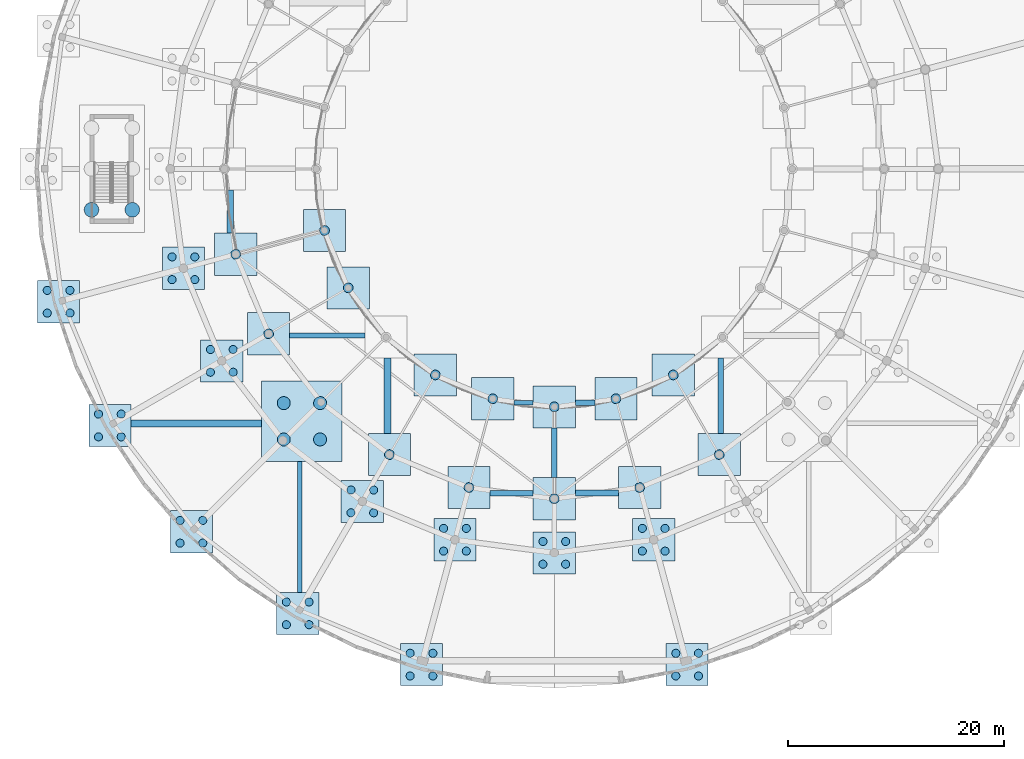
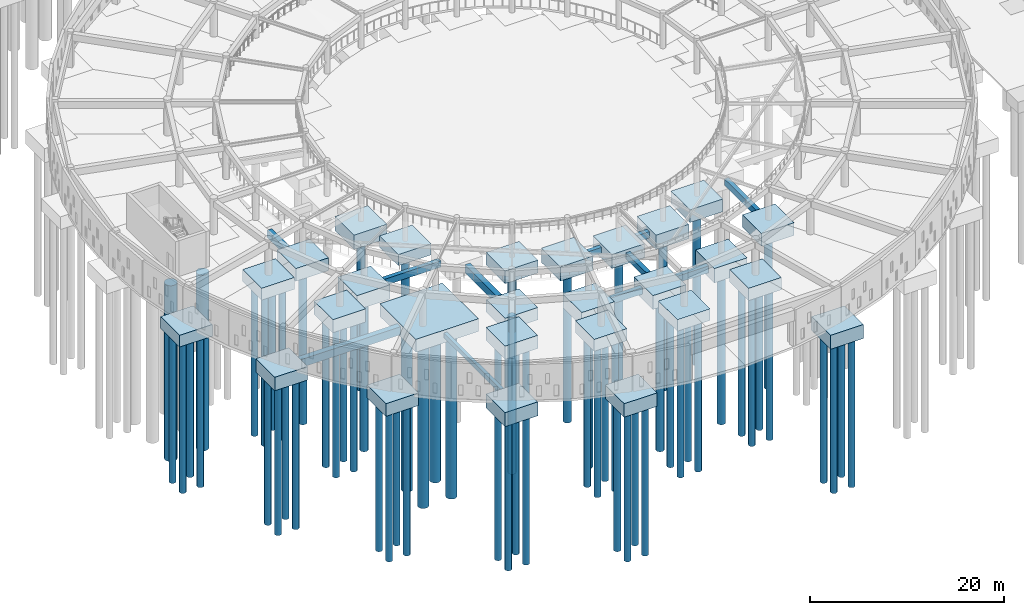
# One storey, part 1 of 84: 68 piles, 38 footings.
"""IFC4 building model written with IfcOpenShell, lengths in metres."""

import ifcopenshell
import ifcopenshell.guid

model = None  # the IFC model being written
_history = None  # IfcOwnerHistory: only IFC2X3 demands one
_inside = {}  # id of a spatial element -> (the spatial element, [elements in it])
_under = {}  # id of a project, library or spatial element -> (it, [spatial elements below it])
_declared = {}  # id of a project -> (the project, [libraries it declares])
_typed = {}  # id of a type object -> (the type object, [elements of that type])
_made_of = {}  # id of a material, layer set ... -> (it, [elements and type objects made of it])


def new_model(schema):
    """Start an empty IFC model of exactly this schema.

    Asked for "IFC4X3", IfcOpenShell would pick the latest addendum, in which some entities
    have other attributes; the version numbers below select the first issue.
    IFC2X3 requires an IfcOwnerHistory on every rooted entity: one is made here for all.
    """
    global model, _history
    if schema == "IFC4X3":
        model = ifcopenshell.file(schema_version=(4, 3, 0, 0))
    else:
        model = ifcopenshell.file(schema=schema)
    _inside.clear()
    _under.clear()
    _declared.clear()
    _typed.clear()
    _made_of.clear()
    _history = None
    if model.schema == "IFC2X3":
        org = make("IfcOrganization", Name="unknown")
        user = make(
            "IfcPersonAndOrganization",
            ThePerson=make("IfcPerson", FamilyName="unknown"),
            TheOrganization=org,
        )
        app = make(
            "IfcApplication",
            ApplicationDeveloper=org,
            Version="unknown",
            ApplicationFullName="unknown",
            ApplicationIdentifier="unknown",
        )
        _history = make(
            "IfcOwnerHistory",
            OwningUser=user,
            OwningApplication=app,
            ChangeAction="ADDED",
            CreationDate=0,
        )
    return model


def make(cls, **values):
    """One entity of the class cls with the attributes given. An attribute that is None is left unset."""
    return model.create_entity(
        cls, **{name: value for name, value in values.items() if value is not None}
    )


def rooted(cls, **values):
    """An entity with a GlobalId (a new one), such as an element, a storey or a relation."""
    return make(cls, GlobalId=ifcopenshell.guid.new(), OwnerHistory=_history, **values)


def si_unit(unit_type, name, prefix=None):
    """IfcSIUnit, for example si_unit("LENGTHUNIT", "METRE", prefix="MILLI")."""
    return make("IfcSIUnit", UnitType=unit_type, Prefix=prefix, Name=name)


def assignment(units):
    """IfcUnitAssignment: the units of a project."""
    return None if units is None else make("IfcUnitAssignment", Units=units)


def point(xyz):
    """IfcCartesianPoint."""
    return None if xyz is None else make("IfcCartesianPoint", Coordinates=xyz)


def direction(xyz):
    """IfcDirection."""
    return None if xyz is None else make("IfcDirection", DirectionRatios=xyz)


def frame(location, z_axis=None, x_axis=None):
    """IfcAxis2Placement3D, a coordinate frame: its origin and axes. An axis left out is left unset."""
    return make(
        "IfcAxis2Placement3D",
        Location=point(location),
        Axis=direction(z_axis),
        RefDirection=direction(x_axis),
    )


def frame_2d(location, x_axis=None):
    """IfcAxis2Placement2D, a coordinate frame in the plane: its origin and x axis."""
    return make(
        "IfcAxis2Placement2D", Location=point(location), RefDirection=direction(x_axis)
    )


def origin():
    """The frame at (0, 0, 0) with its axes left unset."""
    return frame((0.0, 0.0, 0.0))


def origin_2d():
    """The frame at (0, 0) in the plane with its x axis left unset."""
    return frame_2d((0.0, 0.0))


def place(relative_to, where):
    """IfcLocalPlacement: puts the frame where relative to a parent placement (None: the world)."""
    return make(
        "IfcLocalPlacement", PlacementRelTo=relative_to, RelativePlacement=where
    )


def context(
    kind, dimensions, precision=None, world=None, true_north=None, identifier=None
):
    """IfcGeometricRepresentationContext, for example the 3D "Model" context."""
    return make(
        "IfcGeometricRepresentationContext",
        ContextIdentifier=identifier,
        ContextType=kind,
        CoordinateSpaceDimension=dimensions,
        Precision=precision,
        WorldCoordinateSystem=world,
        TrueNorth=true_north,
    )


def subcontext(parent, identifier, kind, view, scale=None):
    """IfcGeometricRepresentationSubContext, for example "Body" below "Model"."""
    return make(
        "IfcGeometricRepresentationSubContext",
        ContextIdentifier=identifier,
        ContextType=kind,
        ParentContext=parent,
        TargetScale=scale,
        TargetView=view,
    )


def project(units=None, contexts=None):
    """IfcProject with its units and contexts."""
    return rooted(
        "IfcProject",
        Name="project",
        RepresentationContexts=contexts,
        UnitsInContext=assignment(units),
    )


def spatial(cls, under=None, at=None, **own):
    """A site, building, storey or space (cls), placed at a placement, below another one or the project."""
    s = rooted(cls, ObjectPlacement=at, **own)
    if under is not None:
        _under.setdefault(under.id(), (under, []))[1].append(s)
    return s


def profile(cls, at=None, kind="AREA", **sizes):
    """A parametric profile (cls). Its sizes go by their IFC names, for example OverallWidth=200.0."""
    return make(cls, ProfileType=kind, Position=at, **sizes)


def rectangle(**sizes):
    """IfcRectangleProfileDef."""
    return profile("IfcRectangleProfileDef", **sizes)


def circle(**sizes):
    """IfcCircleProfileDef."""
    return profile("IfcCircleProfileDef", **sizes)


def extrude(swept, where, along, depth):
    """IfcExtrudedAreaSolid: the profile swept, set in the frame where, extruded along a direction by depth."""
    return make(
        "IfcExtrudedAreaSolid",
        SweptArea=swept,
        Position=where,
        ExtrudedDirection=direction(along),
        Depth=depth,
    )


def shape(context_of_items, identifier, shape_type, items):
    """IfcShapeRepresentation: the items that make up one representation, for example the "Body"."""
    return make(
        "IfcShapeRepresentation",
        ContextOfItems=context_of_items,
        RepresentationIdentifier=identifier,
        RepresentationType=shape_type,
        Items=items,
    )


def material(Name=None, Category=None):
    """IfcMaterial."""
    return make("IfcMaterial", Name=Name, Category=Category)


def material_profile(
    of_material, cross_section, Name=None, Category=None, Priority=None
):
    """IfcMaterialProfile: a cross section and its material."""
    return make(
        "IfcMaterialProfile",
        Name=Name,
        Material=of_material,
        Profile=cross_section,
        Priority=Priority,
        Category=Category,
    )


def profile_set(profiles, Name=None, composite=None):
    """IfcMaterialProfileSet."""
    return make(
        "IfcMaterialProfileSet",
        Name=Name,
        MaterialProfiles=profiles,
        CompositeProfile=composite,
    )


def made_of(thing, what):
    """Note that an element or type object is made of a material, layer set ...; save() writes the relation."""
    if what is not None:
        _made_of.setdefault(what.id(), (what, []))[1].append(thing)
    return thing


def type_object(cls, material=None, **own):
    """A type object (cls), such as IfcWallType, which elements share."""
    return made_of(rooted(cls, **own), material)


def element(
    cls,
    number,
    at=None,
    inside=None,
    cuts=None,
    type_object=None,
    material=None,
    context=None,
    identifier="Body",
    shape_type=None,
    held_by="IfcProductDefinitionShape",
    body=None,
    shapes=None,
    **own,
):
    """One element of the class cls, such as IfcWall. Its Tag is "e" and its number.

    at: its placement. inside: the storey or other place that contains it. cuts: it is an
    opening in that element (IfcRelVoidsElement). A single representation is given by context,
    identifier, shape_type and body (its items); several are given by shapes. held_by: the class
    of the entity that holds the representations. save() writes the other relations.
    """
    e = rooted(cls, Tag="e%d" % number, ObjectPlacement=at, **own)
    if body is not None:
        shapes = [shape(context, identifier, shape_type, body)]
    if shapes is not None:
        e.Representation = make(held_by, Representations=shapes)
    if inside is not None:
        _inside.setdefault(inside.id(), (inside, []))[1].append(e)
    if cuts is not None:
        rooted(
            "IfcRelVoidsElement", RelatingBuildingElement=cuts, RelatedOpeningElement=e
        )
    if type_object is not None:
        _typed.setdefault(type_object.id(), (type_object, []))[1].append(e)
    return made_of(e, material)


def aggregate(whole, parts):
    """IfcRelAggregates: a whole, such as a stair, and the parts it consists of."""
    return rooted("IfcRelAggregates", RelatingObject=whole, RelatedObjects=parts)


def save(model, path):
    """Write the relations noted so far, then the file.

    IfcRelAggregates (storeys below a building ...), IfcRelContainedInSpatialStructure (elements
    in a storey), IfcRelDefinesByType, IfcRelAssociatesMaterial and IfcRelDeclares: one each for
    every whole, place, type object, material and project.
    """
    for whole, parts in _under.values():
        aggregate(whole, parts)
    for where, things in _inside.values():
        rooted(
            "IfcRelContainedInSpatialStructure",
            RelatedElements=things,
            RelatingStructure=where,
        )
    for kind, things in _typed.values():
        rooted("IfcRelDefinesByType", RelatedObjects=things, RelatingType=kind)
    for what, things in _made_of.values():
        rooted("IfcRelAssociatesMaterial", RelatedObjects=things, RelatingMaterial=what)
    for by, libraries in _declared.values():
        rooted("IfcRelDeclares", RelatingContext=by, RelatedDefinitions=libraries)
    model.write(path)


model = new_model("IFC4")

# Units and contexts
model_context = context("Model", 3, precision=1e-05, world=origin(), true_north=direction((0.0, 1.0)))
body_context = subcontext(model_context, "Body", "Model", "MODEL_VIEW")
ifc_project = project(units=[si_unit("LENGTHUNIT", "METRE"), si_unit("AREAUNIT", "SQUARE_METRE"), si_unit("VOLUMEUNIT", "CUBIC_METRE"), si_unit("PLANEANGLEUNIT", "RADIAN"), si_unit("MASSUNIT", "GRAM", prefix="KILO")], contexts=[model_context])

# Site, building, storey
site_placement = place(None, origin())
site = spatial("IfcSite", under=ifc_project, at=site_placement, CompositionType="ELEMENT")
building_placement = place(site_placement, origin())
building = spatial("IfcBuilding", under=site, at=building_placement, Name="Larkveld Mobility Hub", CompositionType="ELEMENT")
storey_placement = place(building_placement, origin())
storey = spatial("IfcBuildingStorey", under=building, at=storey_placement, Name="L00", CompositionType="ELEMENT", Elevation=0.0)

# Footings
ifc_material = material(Name="Concrete C35/45", Category="concrete")
ifc_material_profile_1 = material_profile(ifc_material, rectangle(XDim=0.39990234375, YDim=0.60009765625, at=origin_2d()), Name="RC BM 400x600")
ifc_profile_set_1 = profile_set([ifc_material_profile_1], Name="Concrete C35/45")
footing_type_1 = type_object("IfcFootingType", Name="FT-FB01", PredefinedType="FOOTING_BEAM", material=ifc_profile_set_1)
footing_1_placement = place(storey_placement, frame((24.470947265625, 8.85693359375, -0.64990234375), z_axis=(0.0, 1.0, 0.0), x_axis=(-1.0, 0.0, 0.0)))
element("IfcFooting", 1, at=footing_1_placement, inside=storey, type_object=footing_type_1, Name="Ground Tie Beam GB-109", PredefinedType="FOOTING_BEAM", context=body_context, shape_type="SweptSolid", body=[
    extrude(rectangle(XDim=0.39990234375, YDim=0.60009765625, at=origin_2d()), origin(), (0.0, 0.0, 1.0), 12.091064453125),
])
ifc_material_profile_2 = material_profile(ifc_material, rectangle(XDim=0.449951171875, YDim=0.699951171875, at=origin_2d()), Name="RC BM 450x700")
ifc_profile_set_2 = profile_set([ifc_material_profile_2], Name="Concrete C35/45")
footing_type_2 = type_object("IfcFootingType", Name="FT-FB02", PredefinedType="FOOTING_BEAM", material=ifc_profile_set_2)
footing_2_placement = place(storey_placement, frame((44.256103515625, 26.375, -0.699951171875), z_axis=(1.0, 0.0, 0.0), x_axis=(0.0, 1.0, 0.0)))
element("IfcFooting", 2, at=footing_2_placement, inside=storey, type_object=footing_type_2, Name="Ground Tie Beam GB-020", PredefinedType="FOOTING_BEAM", context=body_context, shape_type="SweptSolid", body=[
    extrude(rectangle(XDim=0.449951171875, YDim=0.699951171875, at=origin_2d()), origin(), (0.0, 0.0, 1.0), 1.7939453125),
])
ifc_material_profile_3 = material_profile(ifc_material, rectangle(XDim=0.5, YDim=0.800048828125, at=origin_2d()), Name="RC BM 500x800")
ifc_profile_set_3 = profile_set([ifc_material_profile_3], Name="Concrete C35/45")
footing_type_3 = type_object("IfcFootingType", Name="FT-FB03", PredefinedType="FOOTING_BEAM", material=ifc_profile_set_3)
footing_3_placement = place(storey_placement, frame((42.055908203125, 18.02001953125, -0.75), z_axis=(1.0, 0.0, 0.0), x_axis=(0.0, 1.0, 0.0)))
element("IfcFooting", 3, at=footing_3_placement, inside=storey, type_object=footing_type_3, Name="Ground Tie Beam GB-009", PredefinedType="FOOTING_BEAM", context=body_context, shape_type="SweptSolid", body=[
    extrude(rectangle(XDim=0.5, YDim=0.800048828125, at=origin_2d()), origin(), (0.0, 0.0, 1.0), 3.994140625),
])
footing_4_placement = place(storey_placement, frame((49.949951171875, 26.375, -0.75), z_axis=(1.0, 0.0, 0.0), x_axis=(0.0, 1.0, 0.0)))
element("IfcFooting", 4, at=footing_4_placement, inside=storey, type_object=footing_type_3, Name="Ground Tie Beam GB-021", PredefinedType="FOOTING_BEAM", context=body_context, shape_type="SweptSolid", body=[
    extrude(rectangle(XDim=0.5, YDim=0.800048828125, at=origin_2d()), origin(), (0.0, 0.0, 1.0), 1.7939453125),
])
footing_5_placement = place(storey_placement, frame((23.535888671875, 32.596923828125, -0.75), z_axis=(1.0, 0.0, 0.0), x_axis=(0.0, 1.0, 0.0)))
element("IfcFooting", 5, at=footing_5_placement, inside=storey, type_object=footing_type_3, Name="Ground Tie Beam GB-027", PredefinedType="FOOTING_BEAM", context=body_context, shape_type="SweptSolid", body=[
    extrude(rectangle(XDim=0.5, YDim=0.800048828125, at=origin_2d()), origin(), (0.0, 0.0, 1.0), 6.9580078125),
])
footing_6_placement = place(storey_placement, frame((48.0, 19.449951171875, -0.75), z_axis=(0.0, 1.0, 0.0), x_axis=(-1.0, 0.0, 0.0)))
element("IfcFooting", 6, at=footing_6_placement, inside=storey, type_object=footing_type_3, Name="Ground Tie Beam GB-117", PredefinedType="FOOTING_BEAM", context=body_context, shape_type="SweptSolid", body=[
    extrude(rectangle(XDim=0.5, YDim=0.800048828125, at=origin_2d()), origin(), (0.0, 0.0, 1.0), 4.60009765625),
])
footing_7_placement = place(storey_placement, frame((63.403076171875, 23.535888671875, -0.75), z_axis=(0.0, 1.0, 0.0), x_axis=(-1.0, 0.0, 0.0)))
element("IfcFooting", 7, at=footing_7_placement, inside=storey, type_object=footing_type_3, Name="Ground Tie Beam GB-123", PredefinedType="FOOTING_BEAM", context=body_context, shape_type="SweptSolid", body=[
    extrude(rectangle(XDim=0.5, YDim=0.800048828125, at=origin_2d()), origin(), (0.0, 0.0, 1.0), 6.9580078125),
])
ifc_material_profile_4 = material_profile(ifc_material, rectangle(XDim=0.550048828125, YDim=0.85009765625, at=origin_2d()), Name="RC BM 550x850")
ifc_profile_set_4 = profile_set([ifc_material_profile_4], Name="Concrete C35/45")
footing_type_4 = type_object("IfcFootingType", Name="FT-FB04", PredefinedType="FOOTING_BEAM", material=ifc_profile_set_4)
footing_8_placement = place(storey_placement, frame((49.949951171875, 18.02001953125, -0.77490234375), z_axis=(1.0, 0.0, 0.0), x_axis=(0.0, 1.0, 0.0)))
element("IfcFooting", 8, at=footing_8_placement, inside=storey, type_object=footing_type_4, Name="Ground Tie Beam GB-010", PredefinedType="FOOTING_BEAM", context=body_context, shape_type="SweptSolid", body=[
    extrude(rectangle(XDim=0.550048828125, YDim=0.85009765625, at=origin_2d()), origin(), (0.0, 0.0, 1.0), 3.994140625),
])
ifc_material_profile_5 = material_profile(ifc_material, rectangle(XDim=0.60009765625, YDim=0.89990234375, at=origin_2d()), Name="RC BM 600x900")
ifc_profile_set_5 = profile_set([ifc_material_profile_5], Name="Concrete C35/45")
footing_type_5 = type_object("IfcFootingType", Name="FT-FB05", PredefinedType="FOOTING_BEAM", material=ifc_profile_set_5)
footing_9_placement = place(storey_placement, frame((18.02001953125, 42.055908203125, -0.800048828125), z_axis=(0.0, 1.0, 0.0), x_axis=(-1.0, 0.0, 0.0)))
element("IfcFooting", 9, at=footing_9_placement, inside=storey, type_object=footing_type_5, Name="Ground Tie Beam GB-107", PredefinedType="FOOTING_BEAM", context=body_context, shape_type="SweptSolid", body=[
    extrude(rectangle(XDim=0.60009765625, YDim=0.89990234375, at=origin_2d()), origin(), (0.0, 0.0, 1.0), 3.994140625),
])
ifc_material_profile_6 = material_profile(ifc_material, rectangle(XDim=0.64990234375, YDim=1.0, at=origin_2d()), Name="RC BM 650x1000")
ifc_profile_set_6 = profile_set([ifc_material_profile_6], Name="Concrete C35/45")
footing_type_6 = type_object("IfcFootingType", Name="FT-FB06", PredefinedType="FOOTING_BEAM", material=ifc_profile_set_6)
footing_10_placement = place(storey_placement, frame((8.85693359375, 24.470947265625, -0.85009765625), z_axis=(1.0, 0.0, 0.0), x_axis=(0.0, 1.0, 0.0)))
element("IfcFooting", 10, at=footing_10_placement, inside=storey, type_object=footing_type_6, Name="Ground Tie Beam GB-018", PredefinedType="FOOTING_BEAM", context=body_context, shape_type="SweptSolid", body=[
    extrude(rectangle(XDim=0.64990234375, YDim=1.0, at=origin_2d()), origin(), (0.0, 0.0, 1.0), 12.091064453125),
])
footing_11_placement = place(storey_placement, frame((32.596923828125, 23.535888671875, -0.85009765625), z_axis=(0.0, 1.0, 0.0), x_axis=(-1.0, 0.0, 0.0)))
element("IfcFooting", 11, at=footing_11_placement, inside=storey, type_object=footing_type_6, Name="Ground Tie Beam GB-114", PredefinedType="FOOTING_BEAM", context=body_context, shape_type="SweptSolid", body=[
    extrude(rectangle(XDim=0.64990234375, YDim=1.0, at=origin_2d()), origin(), (0.0, 0.0, 1.0), 6.9580078125),
])
footing_type_7 = type_object("IfcFootingType", Name="FT-PC01", PredefinedType="PILE_CAP", material=ifc_material)
footing_12_placement = place(storey_placement, frame((28.947021484375, 37.0, -1.39990234375), z_axis=(0.0, 0.0, 1.0), x_axis=(1.0, 0.0, 0.0)))
element("IfcFooting", 12, at=footing_12_placement, inside=storey, type_object=footing_type_7, Name="Pile Cap PC-065", PredefinedType="PILE_CAP", context=body_context, shape_type="SweptSolid", body=[
    extrude(rectangle(XDim=3.89990234375, YDim=3.89990234375, at=origin_2d()), origin(), (0.0, 0.0, 1.0), 1.39990234375),
])
footing_type_8 = type_object("IfcFootingType", Name="FT-PC02", PredefinedType="PILE_CAP", material=ifc_material)
footing_13_placement = place(storey_placement, frame((48.0, 12.5, -1.4501953125), z_axis=(0.0, 0.0, 1.0), x_axis=(1.0, 0.0, 0.0)))
element("IfcFooting", 13, at=footing_13_placement, inside=storey, type_object=footing_type_8, Name="Pile Cap PC-018", PredefinedType="PILE_CAP", context=body_context, shape_type="SweptSolid", body=[
    extrude(rectangle(XDim=3.89990234375, YDim=3.89990234375, at=origin_2d()), origin(), (0.0, 0.0, 1.0), 1.449951171875),
])
footing_type_9 = type_object("IfcFootingType", Name="FT-PC03", PredefinedType="PILE_CAP", material=ifc_material)
for number, where, z_axis, x_axis, name in (
    (14, (38.81201171875, 13.7099609375, -1.5), (0.0, 0.0, 1.0), (1.0, 0.0, 0.0), "Pile Cap PC-019"),
    (15, (13.7099609375, 38.81201171875, -1.5), (0.0, 0.0, 1.0), (1.0, 0.0, 0.0), "Pile Cap PC-067"),
):
    element("IfcFooting", number, at=place(storey_placement, frame(where, z_axis=z_axis, x_axis=x_axis)), inside=storey, type_object=footing_type_9, Name=name, PredefinedType="PILE_CAP", context=body_context, shape_type="SweptSolid", body=[
        extrude(rectangle(XDim=3.89990234375, YDim=3.89990234375, at=origin_2d()), origin(), (0.0, 0.0, 1.0), 1.5),
    ])
footing_type_10 = type_object("IfcFootingType", Name="FT-PC04", PredefinedType="PILE_CAP", material=ifc_material)
for number, where, z_axis, x_axis, name in (
    (16, (57.18798828125, 13.7099609375, -1.5498046875), (0.0, 0.0, 1.0), (1.0, 0.0, 0.0), "Pile Cap PC-020"),
    (17, (32.75, 21.5859375, -1.5498046875), (0.0, 0.0, 1.0), (1.0, 0.0, 0.0), "Pile Cap PC-036"),
):
    element("IfcFooting", number, at=place(storey_placement, frame(where, z_axis=z_axis, x_axis=x_axis)), inside=storey, type_object=footing_type_10, Name=name, PredefinedType="PILE_CAP", context=body_context, shape_type="SweptSolid", body=[
        extrude(rectangle(XDim=3.89990234375, YDim=3.89990234375, at=origin_2d()), origin(), (0.0, 0.0, 1.0), 1.550048828125),
    ])
footing_type_11 = type_object("IfcFootingType", Name="FT-PC05", PredefinedType="PILE_CAP", material=ifc_material)
for number, where, z_axis, x_axis, name in (
    (18, (14.447998046875, 14.447998046875, -1.60009765625), (0.0, 0.0, 1.0), (1.0, 0.0, 0.0), "Pile Cap PC-021"),
    (19, (63.25, 21.5859375, -1.60009765625), (0.0, 0.0, 1.0), (1.0, 0.0, 0.0), "Pile Cap PC-037"),
    (20, (37.0, 28.947021484375, -1.60009765625), (0.0, 0.0, 1.0), (1.0, 0.0, 0.0), "Pile Cap PC-053"),
    (21, (18.5390625, 40.10595703125, -1.60009765625), (0.0, 0.0, 1.0), (1.0, 0.0, 0.0), "Pile Cap PC-069"),
):
    element("IfcFooting", number, at=place(storey_placement, frame(where, z_axis=z_axis, x_axis=x_axis)), inside=storey, type_object=footing_type_11, Name=name, PredefinedType="PILE_CAP", context=body_context, shape_type="SweptSolid", body=[
        extrude(rectangle(XDim=3.89990234375, YDim=3.89990234375, at=origin_2d()), origin(), (0.0, 0.0, 1.0), 1.60009765625),
    ])
footing_type_12 = type_object("IfcFootingType", Name="FT-PC06", PredefinedType="PILE_CAP", material=ifc_material)
footing_14_placement = place(storey_placement, frame((24.666015625, 24.666015625, -1.60009765625), z_axis=(0.0, 0.0, 1.0), x_axis=(1.0, 0.0, 0.0)))
element("IfcFooting", 22, at=footing_14_placement, inside=storey, type_object=footing_type_12, Name="Pile Cap PC-038", PredefinedType="PILE_CAP", context=body_context, shape_type="SweptSolid", body=[
    extrude(rectangle(XDim=7.43505859375, YDim=7.43505859375, at=origin_2d()), origin(), (0.0, 0.0, 1.0), 1.60009765625),
])
footing_15_placement = place(storey_placement, frame((59.0, 28.947021484375, -1.60009765625), z_axis=(0.0, 0.0, 1.0), x_axis=(1.0, 0.0, 0.0)))
element("IfcFooting", 23, at=footing_15_placement, inside=storey, type_object=footing_type_12, Name="Pile Cap PC-054", PredefinedType="PILE_CAP", context=body_context, shape_type="SweptSolid", body=[
    extrude(rectangle(XDim=3.89990234375, YDim=3.89990234375, at=origin_2d()), origin(), (0.0, 0.0, 1.0), 1.60009765625),
])
footing_type_13 = type_object("IfcFootingType", Name="FT-PC07", PredefinedType="PILE_CAP", material=ifc_material)
for number, where, z_axis, x_axis, name in (
    (24, (30.25, 17.256103515625, -1.64990234375), (0.0, 0.0, 1.0), (1.0, 0.0, 0.0), "Pile Cap PC-023"),
    (25, (17.256103515625, 30.25, -1.64990234375), (0.0, 0.0, 1.0), (1.0, 0.0, 0.0), "Pile Cap PC-055"),
):
    element("IfcFooting", number, at=place(storey_placement, frame(where, z_axis=z_axis, x_axis=x_axis)), inside=storey, type_object=footing_type_13, Name=name, PredefinedType="PILE_CAP", context=body_context, shape_type="SweptSolid", body=[
        extrude(rectangle(XDim=3.89990234375, YDim=3.89990234375, at=origin_2d()), origin(), (0.0, 0.0, 1.0), 1.64990234375),
    ])
footing_type_14 = type_object("IfcFootingType", Name="FT-PC08", PredefinedType="PILE_CAP", material=ifc_material)
for number, where, z_axis, x_axis, name in (
    (26, (35.718994140625, 2.1669921875, -1.7001953125), (0.0, 0.0, 1.0), (1.0, 0.0, 0.0), "Pile Cap PC-008"),
    (27, (6.906982421875, 24.27490234375, -1.7001953125), (0.0, 0.0, 1.0), (1.0, 0.0, 0.0), "Pile Cap PC-040"),
):
    element("IfcFooting", number, at=place(storey_placement, frame(where, z_axis=z_axis, x_axis=x_axis)), inside=storey, type_object=footing_type_14, Name=name, PredefinedType="PILE_CAP", context=body_context, shape_type="SweptSolid", body=[
        extrude(rectangle(XDim=3.89990234375, YDim=3.89990234375, at=origin_2d()), origin(), (0.0, 0.0, 1.0), 1.699951171875),
    ])
footing_type_15 = type_object("IfcFootingType", Name="FT-PC09", PredefinedType="PILE_CAP", material=ifc_material)
for number, where, z_axis, x_axis, name in (
    (28, (60.281005859375, 2.1669921875, -1.75), (0.0, 0.0, 1.0), (1.0, 0.0, 0.0), "Pile Cap PC-009"),
    (29, (48.0, 17.5, -1.75), (0.0, 0.0, 1.0), (1.0, 0.0, 0.0), "Pile Cap PC-025"),
):
    element("IfcFooting", number, at=place(storey_placement, frame(where, z_axis=z_axis, x_axis=x_axis)), inside=storey, type_object=footing_type_15, Name=name, PredefinedType="PILE_CAP", context=body_context, shape_type="SweptSolid", body=[
        extrude(rectangle(XDim=3.89990234375, YDim=3.89990234375, at=origin_2d()), origin(), (0.0, 0.0, 1.0), 1.75),
    ])
footing_type_16 = type_object("IfcFootingType", Name="FT-PC10", PredefinedType="PILE_CAP", material=ifc_material)
for number, where, z_axis, x_axis, name in (
    (30, (24.27490234375, 6.906982421875, -1.75), (0.0, 0.0, 1.0), (1.0, 0.0, 0.0), "Pile Cap PC-010"),
    (31, (40.10595703125, 18.5390625, -1.75), (0.0, 0.0, 1.0), (1.0, 0.0, 0.0), "Pile Cap PC-026"),
    (32, (48.0, 26.0, -1.75), (0.0, 0.0, 1.0), (1.0, 0.0, 0.0), "Pile Cap PC-042"),
):
    element("IfcFooting", number, at=place(storey_placement, frame(where, z_axis=z_axis, x_axis=x_axis)), inside=storey, type_object=footing_type_16, Name=name, PredefinedType="PILE_CAP", context=body_context, shape_type="SweptSolid", body=[
        extrude(rectangle(XDim=3.89990234375, YDim=3.89990234375, at=origin_2d()), origin(), (0.0, 0.0, 1.0), 1.75),
    ])
footing_type_17 = type_object("IfcFootingType", Name="FT-PC11", PredefinedType="PILE_CAP", material=ifc_material)
for number, where, z_axis, x_axis, name in (
    (33, (55.89404296875, 18.5390625, -1.7998046875), (0.0, 0.0, 1.0), (1.0, 0.0, 0.0), "Pile Cap PC-027"),
    (34, (42.305908203125, 26.75, -1.7998046875), (0.0, 0.0, 1.0), (1.0, 0.0, 0.0), "Pile Cap PC-043"),
    (35, (21.5859375, 32.75, -1.7998046875), (0.0, 0.0, 1.0), (1.0, 0.0, 0.0), "Pile Cap PC-059"),
    (36, (26.75, 42.305908203125, -1.7998046875), (0.0, 0.0, 1.0), (1.0, 0.0, 0.0), "Pile Cap PC-075"),
):
    element("IfcFooting", number, at=place(storey_placement, frame(where, z_axis=z_axis, x_axis=x_axis)), inside=storey, type_object=footing_type_17, Name=name, PredefinedType="PILE_CAP", context=body_context, shape_type="SweptSolid", body=[
        extrude(rectangle(XDim=3.89990234375, YDim=3.89990234375, at=origin_2d()), origin(), (0.0, 0.0, 1.0), 1.800048828125),
    ])
footing_type_18 = type_object("IfcFootingType", Name="FT-PC12", PredefinedType="PILE_CAP", material=ifc_material)
footing_16_placement = place(storey_placement, frame((53.694091796875, 26.75, -1.7998046875), z_axis=(0.0, 0.0, 1.0), x_axis=(1.0, 0.0, 0.0)))
element("IfcFooting", 37, at=footing_16_placement, inside=storey, type_object=footing_type_18, Name="Pile Cap PC-044", PredefinedType="PILE_CAP", context=body_context, shape_type="SweptSolid", body=[
    extrude(rectangle(XDim=3.89990234375, YDim=3.89990234375, at=origin_2d()), origin(), (0.0, 0.0, 1.0), 1.800048828125),
])
footing_type_19 = type_object("IfcFootingType", Name="FT-PC14", PredefinedType="PILE_CAP", material=ifc_material)
footing_17_placement = place(storey_placement, frame((2.1669921875, 35.718994140625, -1.47998046875), z_axis=(0.0, 0.0, 1.0), x_axis=(1.0, 0.0, 0.0)))
element("IfcFooting", 38, at=footing_17_placement, inside=storey, type_object=footing_type_19, Name="Pile Cap PC-062", PredefinedType="PILE_CAP", context=body_context, shape_type="SweptSolid", body=[
    extrude(rectangle(XDim=3.89990234375, YDim=3.89990234375, at=origin_2d()), origin(), (0.0, 0.0, 1.0), 1.47998046875),
])

# Piles
ifc_material_profile_7 = material_profile(ifc_material, circle(Radius=0.375, at=origin_2d()), Name="PILE D750")
ifc_profile_set_7 = profile_set([ifc_material_profile_7], Name="Concrete C35/45")
pile_type_1 = type_object("IfcPileType", Name="PL-B0750", PredefinedType="BORED", material=ifc_profile_set_7)
for number, where, z_axis, x_axis, name in (
    (39, (34.6689453125, 1.116943359375, -1.60009765625), (0.0, 0.0, -1.0), (1.0, 0.0, 0.0), "Bored Pile P-0034"),
    (40, (34.6689453125, 3.217041015625, -1.60009765625), (0.0, 0.0, -1.0), (1.0, 0.0, 0.0), "Bored Pile P-0035"),
    (41, (36.76904296875, 1.116943359375, -1.60009765625), (0.0, 0.0, -1.0), (1.0, 0.0, 0.0), "Bored Pile P-0036"),
    (42, (36.76904296875, 3.217041015625, -1.60009765625), (0.0, 0.0, -1.0), (1.0, 0.0, 0.0), "Bored Pile P-0037"),
):
    element("IfcPile", number, at=place(storey_placement, frame(where, z_axis=z_axis, x_axis=x_axis)), inside=storey, type_object=pile_type_1, Name=name, PredefinedType="BORED", context=body_context, shape_type="SweptSolid", body=[
        extrude(circle(Radius=0.375, at=origin_2d()), origin(), (0.0, 0.0, 1.0), 18.89990234375),
    ])
for number, where, z_axis, x_axis, name in (
    (43, (59.23095703125, 1.116943359375, -1.64990234375), (0.0, 0.0, -1.0), (1.0, 0.0, 0.0), "Bored Pile P-0038"),
    (44, (59.23095703125, 3.217041015625, -1.64990234375), (0.0, 0.0, -1.0), (1.0, 0.0, 0.0), "Bored Pile P-0039"),
    (45, (61.3310546875, 1.116943359375, -1.64990234375), (0.0, 0.0, -1.0), (1.0, 0.0, 0.0), "Bored Pile P-0040"),
    (46, (61.3310546875, 3.217041015625, -1.64990234375), (0.0, 0.0, -1.0), (1.0, 0.0, 0.0), "Bored Pile P-0041"),
    (47, (23.22509765625, 5.85693359375, -1.64990234375), (0.0, 0.0, -1.0), (1.0, 0.0, 0.0), "Bored Pile P-0042"),
    (48, (23.22509765625, 7.95703125, -1.64990234375), (0.0, 0.0, -1.0), (1.0, 0.0, 0.0), "Bored Pile P-0043"),
    (49, (25.324951171875, 5.85693359375, -1.64990234375), (0.0, 0.0, -1.0), (1.0, 0.0, 0.0), "Bored Pile P-0044"),
    (50, (25.324951171875, 7.95703125, -1.64990234375), (0.0, 0.0, -1.0), (1.0, 0.0, 0.0), "Bored Pile P-0045"),
):
    element("IfcPile", number, at=place(storey_placement, frame(where, z_axis=z_axis, x_axis=x_axis)), inside=storey, type_object=pile_type_1, Name=name, PredefinedType="BORED", context=body_context, shape_type="SweptSolid", body=[
        extrude(circle(Radius=0.375, at=origin_2d()), origin(), (0.0, 0.0, 1.0), 18.85009765625),
    ])
for number, where, z_axis, x_axis, name in (
    (51, (46.949951171875, 11.449951171875, -1.35009765625), (0.0, 0.0, -1.0), (1.0, 0.0, 0.0), "Bored Pile P-0071"),
    (52, (46.949951171875, 13.550048828125, -1.35009765625), (0.0, 0.0, -1.0), (1.0, 0.0, 0.0), "Bored Pile P-0072"),
    (53, (49.050048828125, 11.449951171875, -1.35009765625), (0.0, 0.0, -1.0), (1.0, 0.0, 0.0), "Bored Pile P-0073"),
    (54, (49.050048828125, 13.550048828125, -1.35009765625), (0.0, 0.0, -1.0), (1.0, 0.0, 0.0), "Bored Pile P-0074"),
):
    element("IfcPile", number, at=place(storey_placement, frame(where, z_axis=z_axis, x_axis=x_axis)), inside=storey, type_object=pile_type_1, Name=name, PredefinedType="BORED", context=body_context, shape_type="SweptSolid", body=[
        extrude(circle(Radius=0.375, at=origin_2d()), origin(), (0.0, 0.0, 1.0), 19.14990234375),
    ])
for number, where, z_axis, x_axis, name in (
    (55, (37.761962890625, 12.659912109375, -1.39990234375), (0.0, 0.0, -1.0), (1.0, 0.0, 0.0), "Bored Pile P-0075"),
    (56, (37.761962890625, 14.760009765625, -1.39990234375), (0.0, 0.0, -1.0), (1.0, 0.0, 0.0), "Bored Pile P-0076"),
    (57, (39.862060546875, 12.659912109375, -1.39990234375), (0.0, 0.0, -1.0), (1.0, 0.0, 0.0), "Bored Pile P-0077"),
    (58, (39.862060546875, 14.760009765625, -1.39990234375), (0.0, 0.0, -1.0), (1.0, 0.0, 0.0), "Bored Pile P-0078"),
):
    element("IfcPile", number, at=place(storey_placement, frame(where, z_axis=z_axis, x_axis=x_axis)), inside=storey, type_object=pile_type_1, Name=name, PredefinedType="BORED", context=body_context, shape_type="SweptSolid", body=[
        extrude(circle(Radius=0.375, at=origin_2d()), origin(), (0.0, 0.0, 1.0), 19.10009765625),
    ])
for number, where, z_axis, x_axis, name in (
    (59, (56.137939453125, 12.659912109375, -1.449951171875), (0.0, 0.0, -1.0), (1.0, 0.0, 0.0), "Bored Pile P-0079"),
    (60, (56.137939453125, 14.760009765625, -1.449951171875), (0.0, 0.0, -1.0), (1.0, 0.0, 0.0), "Bored Pile P-0080"),
    (61, (58.238037109375, 12.659912109375, -1.449951171875), (0.0, 0.0, -1.0), (1.0, 0.0, 0.0), "Bored Pile P-0081"),
    (62, (58.238037109375, 14.760009765625, -1.449951171875), (0.0, 0.0, -1.0), (1.0, 0.0, 0.0), "Bored Pile P-0082"),
):
    element("IfcPile", number, at=place(storey_placement, frame(where, z_axis=z_axis, x_axis=x_axis)), inside=storey, type_object=pile_type_1, Name=name, PredefinedType="BORED", context=body_context, shape_type="SweptSolid", body=[
        extrude(circle(Radius=0.375, at=origin_2d()), origin(), (0.0, 0.0, 1.0), 19.050048828125),
    ])
for number, where, z_axis, x_axis, name in (
    (63, (13.39794921875, 13.39794921875, -1.5), (0.0, 0.0, -1.0), (1.0, 0.0, 0.0), "Bored Pile P-0083"),
    (64, (13.39794921875, 15.498046875, -1.5), (0.0, 0.0, -1.0), (1.0, 0.0, 0.0), "Bored Pile P-0084"),
    (65, (15.498046875, 13.39794921875, -1.5), (0.0, 0.0, -1.0), (1.0, 0.0, 0.0), "Bored Pile P-0085"),
    (66, (15.498046875, 15.498046875, -1.5), (0.0, 0.0, -1.0), (1.0, 0.0, 0.0), "Bored Pile P-0086"),
):
    element("IfcPile", number, at=place(storey_placement, frame(where, z_axis=z_axis, x_axis=x_axis)), inside=storey, type_object=pile_type_1, Name=name, PredefinedType="BORED", context=body_context, shape_type="SweptSolid", body=[
        extrude(circle(Radius=0.375, at=origin_2d()), origin(), (0.0, 0.0, 1.0), 19.0),
    ])
for number, where, z_axis, x_axis, name in (
    (67, (29.199951171875, 16.2060546875, -1.550048828125), (0.0, 0.0, -1.0), (1.0, 0.0, 0.0), "Bored Pile P-0091"),
    (68, (29.199951171875, 18.305908203125, -1.550048828125), (0.0, 0.0, -1.0), (1.0, 0.0, 0.0), "Bored Pile P-0092"),
    (69, (31.300048828125, 16.2060546875, -1.550048828125), (0.0, 0.0, -1.0), (1.0, 0.0, 0.0), "Bored Pile P-0093"),
    (70, (31.300048828125, 18.305908203125, -1.550048828125), (0.0, 0.0, -1.0), (1.0, 0.0, 0.0), "Bored Pile P-0094"),
):
    element("IfcPile", number, at=place(storey_placement, frame(where, z_axis=z_axis, x_axis=x_axis)), inside=storey, type_object=pile_type_1, Name=name, PredefinedType="BORED", context=body_context, shape_type="SweptSolid", body=[
        extrude(circle(Radius=0.375, at=origin_2d()), origin(), (0.0, 0.0, 1.0), 18.949951171875),
    ])
for number, where, z_axis, x_axis, name in (
    (71, (5.85693359375, 23.22509765625, -1.60009765625), (0.0, 0.0, -1.0), (1.0, 0.0, 0.0), "Bored Pile P-0141"),
    (72, (5.85693359375, 25.324951171875, -1.60009765625), (0.0, 0.0, -1.0), (1.0, 0.0, 0.0), "Bored Pile P-0142"),
    (73, (7.95703125, 23.22509765625, -1.60009765625), (0.0, 0.0, -1.0), (1.0, 0.0, 0.0), "Bored Pile P-0143"),
    (74, (7.95703125, 25.324951171875, -1.60009765625), (0.0, 0.0, -1.0), (1.0, 0.0, 0.0), "Bored Pile P-0144"),
):
    element("IfcPile", number, at=place(storey_placement, frame(where, z_axis=z_axis, x_axis=x_axis)), inside=storey, type_object=pile_type_1, Name=name, PredefinedType="BORED", context=body_context, shape_type="SweptSolid", body=[
        extrude(circle(Radius=0.375, at=origin_2d()), origin(), (0.0, 0.0, 1.0), 18.89990234375),
    ])
for number, where, z_axis, x_axis, name in (
    (75, (16.2060546875, 29.199951171875, -1.550048828125), (0.0, 0.0, -1.0), (1.0, 0.0, 0.0), "Bored Pile P-0183"),
    (76, (16.2060546875, 31.300048828125, -1.550048828125), (0.0, 0.0, -1.0), (1.0, 0.0, 0.0), "Bored Pile P-0184"),
    (77, (18.305908203125, 29.199951171875, -1.550048828125), (0.0, 0.0, -1.0), (1.0, 0.0, 0.0), "Bored Pile P-0185"),
    (78, (18.305908203125, 31.300048828125, -1.550048828125), (0.0, 0.0, -1.0), (1.0, 0.0, 0.0), "Bored Pile P-0186"),
):
    element("IfcPile", number, at=place(storey_placement, frame(where, z_axis=z_axis, x_axis=x_axis)), inside=storey, type_object=pile_type_1, Name=name, PredefinedType="BORED", context=body_context, shape_type="SweptSolid", body=[
        extrude(circle(Radius=0.375, at=origin_2d()), origin(), (0.0, 0.0, 1.0), 18.949951171875),
    ])
for number, where, z_axis, x_axis, name in (
    (79, (1.116943359375, 34.6689453125, -1.3798828125), (0.0, 0.0, -1.0), (1.0, 0.0, 0.0), "Bored Pile P-0199"),
    (80, (1.116943359375, 36.76904296875, -1.3798828125), (0.0, 0.0, -1.0), (1.0, 0.0, 0.0), "Bored Pile P-0200"),
    (81, (3.217041015625, 34.6689453125, -1.3798828125), (0.0, 0.0, -1.0), (1.0, 0.0, 0.0), "Bored Pile P-0201"),
    (82, (3.217041015625, 36.76904296875, -1.3798828125), (0.0, 0.0, -1.0), (1.0, 0.0, 0.0), "Bored Pile P-0202"),
):
    element("IfcPile", number, at=place(storey_placement, frame(where, z_axis=z_axis, x_axis=x_axis)), inside=storey, type_object=pile_type_1, Name=name, PredefinedType="BORED", context=body_context, shape_type="SweptSolid", body=[
        extrude(circle(Radius=0.375, at=origin_2d()), origin(), (0.0, 0.0, 1.0), 19.1201171875),
    ])
for number, where, z_axis, x_axis, name in (
    (83, (12.659912109375, 37.761962890625, -1.39990234375), (0.0, 0.0, -1.0), (1.0, 0.0, 0.0), "Bored Pile P-0210"),
    (84, (12.659912109375, 39.862060546875, -1.39990234375), (0.0, 0.0, -1.0), (1.0, 0.0, 0.0), "Bored Pile P-0211"),
    (85, (14.760009765625, 37.761962890625, -1.39990234375), (0.0, 0.0, -1.0), (1.0, 0.0, 0.0), "Bored Pile P-0212"),
    (86, (14.760009765625, 39.862060546875, -1.39990234375), (0.0, 0.0, -1.0), (1.0, 0.0, 0.0), "Bored Pile P-0213"),
):
    element("IfcPile", number, at=place(storey_placement, frame(where, z_axis=z_axis, x_axis=x_axis)), inside=storey, type_object=pile_type_1, Name=name, PredefinedType="BORED", context=body_context, shape_type="SweptSolid", body=[
        extrude(circle(Radius=0.375, at=origin_2d()), origin(), (0.0, 0.0, 1.0), 19.10009765625),
    ])
ifc_material_profile_8 = material_profile(ifc_material, circle(Radius=0.449951171875, at=origin_2d()), Name="PILE D900")
ifc_profile_set_8 = profile_set([ifc_material_profile_8], Name="Concrete C35/45")
pile_type_2 = type_object("IfcPileType", Name="PL-B0900", PredefinedType="BORED", material=ifc_profile_set_8)
for number, where, z_axis, x_axis, name in (
    (87, (48.0, 17.5, -1.64990234375), (0.0, 0.0, -1.0), (1.0, 0.0, 0.0), "Bored Pile P-0099"),
    (88, (40.10595703125, 18.5390625, -1.64990234375), (0.0, 0.0, -1.0), (1.0, 0.0, 0.0), "Bored Pile P-0100"),
):
    element("IfcPile", number, at=place(storey_placement, frame(where, z_axis=z_axis, x_axis=x_axis)), inside=storey, type_object=pile_type_2, Name=name, PredefinedType="BORED", context=body_context, shape_type="SweptSolid", body=[
        extrude(circle(Radius=0.449951171875, at=origin_2d()), origin(), (0.0, 0.0, 1.0), 19.550048828125),
    ])
pile_1_placement = place(storey_placement, frame((55.89404296875, 18.5390625, -1.699951171875), z_axis=(0.0, 0.0, -1.0), x_axis=(1.0, 0.0, 0.0)))
element("IfcPile", 89, at=pile_1_placement, inside=storey, type_object=pile_type_2, Name="Bored Pile P-0101", PredefinedType="BORED", context=body_context, shape_type="SweptSolid", body=[
    extrude(circle(Radius=0.449951171875, at=origin_2d()), origin(), (0.0, 0.0, 1.0), 19.5),
])
pile_2_placement = place(storey_placement, frame((32.75, 21.5859375, -1.449951171875), z_axis=(0.0, 0.0, -1.0), x_axis=(1.0, 0.0, 0.0)))
element("IfcPile", 90, at=pile_2_placement, inside=storey, type_object=pile_type_2, Name="Bored Pile P-0131", PredefinedType="BORED", context=body_context, shape_type="SweptSolid", body=[
    extrude(circle(Radius=0.449951171875, at=origin_2d()), origin(), (0.0, 0.0, 1.0), 19.75),
])
pile_3_placement = place(storey_placement, frame((63.25, 21.5859375, -1.5), z_axis=(0.0, 0.0, -1.0), x_axis=(1.0, 0.0, 0.0)))
element("IfcPile", 91, at=pile_3_placement, inside=storey, type_object=pile_type_2, Name="Bored Pile P-0132", PredefinedType="BORED", context=body_context, shape_type="SweptSolid", body=[
    extrude(circle(Radius=0.449951171875, at=origin_2d()), origin(), (0.0, 0.0, 1.0), 19.699951171875),
])
pile_4_placement = place(storey_placement, frame((48.0, 26.0, -1.64990234375), z_axis=(0.0, 0.0, -1.0), x_axis=(1.0, 0.0, 0.0)))
element("IfcPile", 92, at=pile_4_placement, inside=storey, type_object=pile_type_2, Name="Bored Pile P-0149", PredefinedType="BORED", context=body_context, shape_type="SweptSolid", body=[
    extrude(circle(Radius=0.449951171875, at=origin_2d()), origin(), (0.0, 0.0, 1.0), 19.550048828125),
])
for number, where, z_axis, x_axis, name in (
    (93, (42.305908203125, 26.75, -1.699951171875), (0.0, 0.0, -1.0), (1.0, 0.0, 0.0), "Bored Pile P-0150"),
    (94, (53.694091796875, 26.75, -1.699951171875), (0.0, 0.0, -1.0), (1.0, 0.0, 0.0), "Bored Pile P-0151"),
):
    element("IfcPile", number, at=place(storey_placement, frame(where, z_axis=z_axis, x_axis=x_axis)), inside=storey, type_object=pile_type_2, Name=name, PredefinedType="BORED", context=body_context, shape_type="SweptSolid", body=[
        extrude(circle(Radius=0.449951171875, at=origin_2d()), origin(), (0.0, 0.0, 1.0), 19.5),
    ])
for number, where, z_axis, x_axis, name in (
    (95, (37.0, 28.947021484375, -1.5), (0.0, 0.0, -1.0), (1.0, 0.0, 0.0), "Bored Pile P-0181"),
    (96, (59.0, 28.947021484375, -1.5), (0.0, 0.0, -1.0), (1.0, 0.0, 0.0), "Bored Pile P-0182"),
):
    element("IfcPile", number, at=place(storey_placement, frame(where, z_axis=z_axis, x_axis=x_axis)), inside=storey, type_object=pile_type_2, Name=name, PredefinedType="BORED", context=body_context, shape_type="SweptSolid", body=[
        extrude(circle(Radius=0.449951171875, at=origin_2d()), origin(), (0.0, 0.0, 1.0), 19.699951171875),
    ])
pile_5_placement = place(storey_placement, frame((21.5859375, 32.75, -1.699951171875), z_axis=(0.0, 0.0, -1.0), x_axis=(1.0, 0.0, 0.0)))
element("IfcPile", 97, at=pile_5_placement, inside=storey, type_object=pile_type_2, Name="Bored Pile P-0193", PredefinedType="BORED", context=body_context, shape_type="SweptSolid", body=[
    extrude(circle(Radius=0.449951171875, at=origin_2d()), origin(), (0.0, 0.0, 1.0), 19.5),
])
pile_6_placement = place(storey_placement, frame((28.947021484375, 37.0, -1.300048828125), z_axis=(0.0, 0.0, -1.0), x_axis=(1.0, 0.0, 0.0)))
element("IfcPile", 98, at=pile_6_placement, inside=storey, type_object=pile_type_2, Name="Bored Pile P-0208", PredefinedType="BORED", context=body_context, shape_type="SweptSolid", body=[
    extrude(circle(Radius=0.449951171875, at=origin_2d()), origin(), (0.0, 0.0, 1.0), 19.89990234375),
])
pile_7_placement = place(storey_placement, frame((18.5390625, 40.10595703125, -1.5), z_axis=(0.0, 0.0, -1.0), x_axis=(1.0, 0.0, 0.0)))
element("IfcPile", 99, at=pile_7_placement, inside=storey, type_object=pile_type_2, Name="Bored Pile P-0218", PredefinedType="BORED", context=body_context, shape_type="SweptSolid", body=[
    extrude(circle(Radius=0.449951171875, at=origin_2d()), origin(), (0.0, 0.0, 1.0), 19.699951171875),
])
pile_8_placement = place(storey_placement, frame((26.75, 42.305908203125, -1.699951171875), z_axis=(0.0, 0.0, -1.0), x_axis=(1.0, 0.0, 0.0)))
element("IfcPile", 100, at=pile_8_placement, inside=storey, type_object=pile_type_2, Name="Bored Pile P-0234", PredefinedType="BORED", context=body_context, shape_type="SweptSolid", body=[
    extrude(circle(Radius=0.449951171875, at=origin_2d()), origin(), (0.0, 0.0, 1.0), 19.5),
])
ifc_material_profile_9 = material_profile(ifc_material, circle(Radius=0.60009765625, at=origin_2d()), Name="PILE D1200")
ifc_profile_set_9 = profile_set([ifc_material_profile_9], Name="Concrete C35/45")
pile_type_3 = type_object("IfcPileType", Name="PL-B1200", PredefinedType="BORED", material=ifc_profile_set_9)
for number, where, z_axis, x_axis, name in (
    (101, (22.986083984375, 22.986083984375, -1.5), (0.0, 0.0, -1.0), (1.0, 0.0, 0.0), "Bored Pile P-0133"),
    (102, (22.986083984375, 26.345947265625, -1.5), (0.0, 0.0, -1.0), (1.0, 0.0, 0.0), "Bored Pile P-0134"),
    (103, (26.345947265625, 22.986083984375, -1.5), (0.0, 0.0, -1.0), (1.0, 0.0, 0.0), "Bored Pile P-0135"),
    (104, (26.345947265625, 26.345947265625, -1.5), (0.0, 0.0, -1.0), (1.0, 0.0, 0.0), "Bored Pile P-0136"),
):
    element("IfcPile", number, at=place(storey_placement, frame(where, z_axis=z_axis, x_axis=x_axis)), inside=storey, type_object=pile_type_3, Name=name, PredefinedType="BORED", context=body_context, shape_type="SweptSolid", body=[
        extrude(circle(Radius=0.60009765625, at=origin_2d()), origin(), (0.0, 0.0, 1.0), 21.300048828125),
    ])
ifc_material_profile_10 = material_profile(ifc_material, circle(Radius=0.675048828125, at=origin_2d()), Name="PILE D1350")
ifc_profile_set_10 = profile_set([ifc_material_profile_10], Name="Concrete C35/45")
pile_type_4 = type_object("IfcPileType", Name="PL-B1350", PredefinedType="BORED", material=ifc_profile_set_10)
for number, where, z_axis, x_axis, name in (
    (105, (5.2099609375, 44.219970703125, -1.3798828125), (0.0, 0.0, -1.0), (1.0, 0.0, 0.0), "Bored Pile P-0237"),
    (106, (8.989990234375, 44.219970703125, -1.3798828125), (0.0, 0.0, -1.0), (1.0, 0.0, 0.0), "Bored Pile P-0240"),
):
    element("IfcPile", number, at=place(storey_placement, frame(where, z_axis=z_axis, x_axis=x_axis)), inside=storey, type_object=pile_type_4, Name=name, PredefinedType="BORED", context=body_context, shape_type="SweptSolid", body=[
        extrude(circle(Radius=0.675048828125, at=origin_2d()), origin(), (0.0, 0.0, 1.0), 22.1201171875),
    ])

save(model, "model.ifc")
